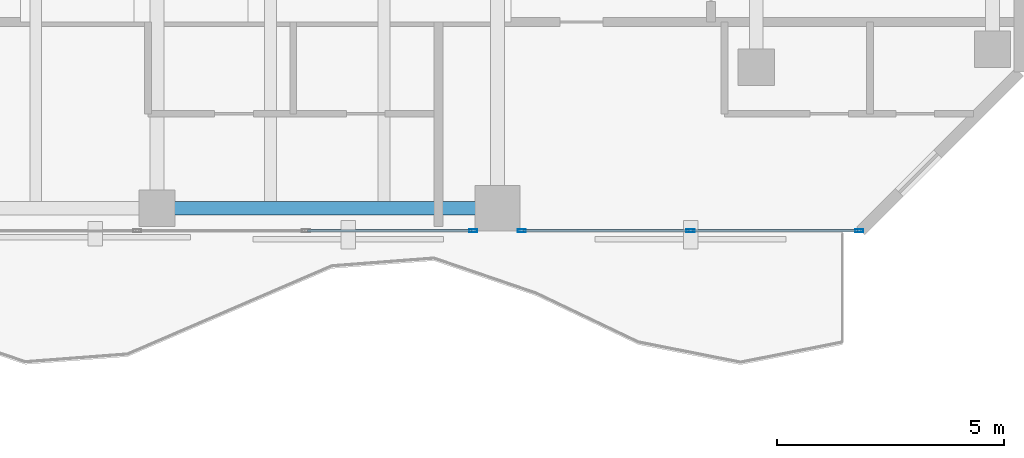
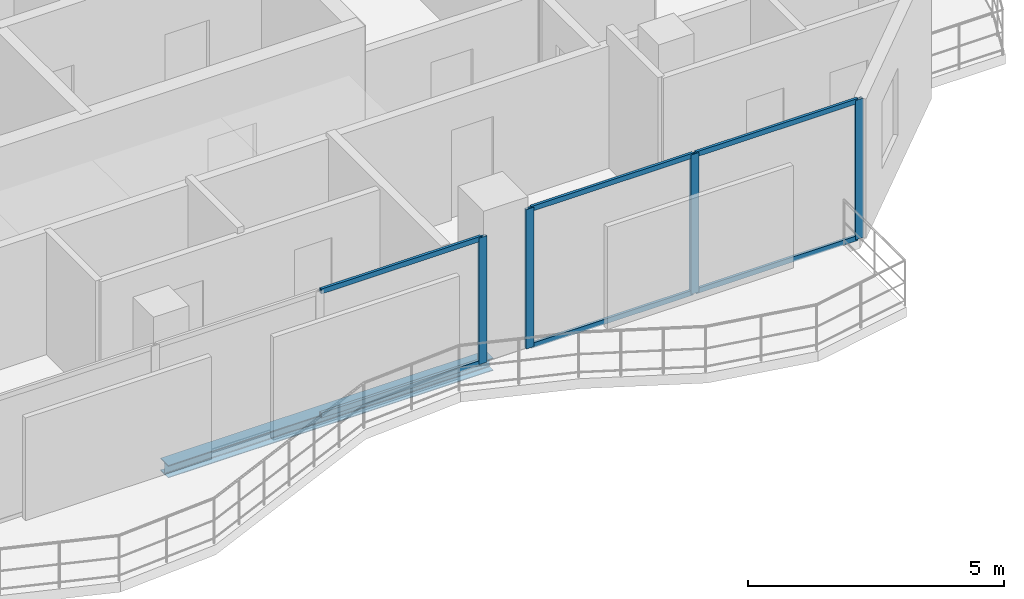
# One storey, part 12 of 23: 10 members, 1 beam, 2 elements without a shape of their own.
"""IFC4 building model written with IfcOpenShell, lengths in metres."""

import ifcopenshell
import ifcopenshell.guid

model = None  # the IFC model being written
_history = None  # IfcOwnerHistory: only IFC2X3 demands one
_inside = {}  # id of a spatial element -> (the spatial element, [elements in it])
_under = {}  # id of a project, library or spatial element -> (it, [spatial elements below it])
_declared = {}  # id of a project -> (the project, [libraries it declares])
_typed = {}  # id of a type object -> (the type object, [elements of that type])
_made_of = {}  # id of a material, layer set ... -> (it, [elements and type objects made of it])


def new_model(schema):
    """Start an empty IFC model of exactly this schema.

    Asked for "IFC4X3", IfcOpenShell would pick the latest addendum, in which some entities
    have other attributes; the version numbers below select the first issue.
    IFC2X3 requires an IfcOwnerHistory on every rooted entity: one is made here for all.
    """
    global model, _history
    if schema == "IFC4X3":
        model = ifcopenshell.file(schema_version=(4, 3, 0, 0))
    else:
        model = ifcopenshell.file(schema=schema)
    _inside.clear()
    _under.clear()
    _declared.clear()
    _typed.clear()
    _made_of.clear()
    _history = None
    if model.schema == "IFC2X3":
        org = make("IfcOrganization", Name="unknown")
        user = make(
            "IfcPersonAndOrganization",
            ThePerson=make("IfcPerson", FamilyName="unknown"),
            TheOrganization=org,
        )
        app = make(
            "IfcApplication",
            ApplicationDeveloper=org,
            Version="unknown",
            ApplicationFullName="unknown",
            ApplicationIdentifier="unknown",
        )
        _history = make(
            "IfcOwnerHistory",
            OwningUser=user,
            OwningApplication=app,
            ChangeAction="ADDED",
            CreationDate=0,
        )
    return model


def make(cls, **values):
    """One entity of the class cls with the attributes given. An attribute that is None is left unset."""
    return model.create_entity(
        cls, **{name: value for name, value in values.items() if value is not None}
    )


def rooted(cls, **values):
    """An entity with a GlobalId (a new one), such as an element, a storey or a relation."""
    return make(cls, GlobalId=ifcopenshell.guid.new(), OwnerHistory=_history, **values)


def si_unit(unit_type, name, prefix=None):
    """IfcSIUnit, for example si_unit("LENGTHUNIT", "METRE", prefix="MILLI")."""
    return make("IfcSIUnit", UnitType=unit_type, Prefix=prefix, Name=name)


def assignment(units):
    """IfcUnitAssignment: the units of a project."""
    return None if units is None else make("IfcUnitAssignment", Units=units)


def point(xyz):
    """IfcCartesianPoint."""
    return None if xyz is None else make("IfcCartesianPoint", Coordinates=xyz)


def direction(xyz):
    """IfcDirection."""
    return None if xyz is None else make("IfcDirection", DirectionRatios=xyz)


def frame(location, z_axis=None, x_axis=None):
    """IfcAxis2Placement3D, a coordinate frame: its origin and axes. An axis left out is left unset."""
    return make(
        "IfcAxis2Placement3D",
        Location=point(location),
        Axis=direction(z_axis),
        RefDirection=direction(x_axis),
    )


def frame_2d(location, x_axis=None):
    """IfcAxis2Placement2D, a coordinate frame in the plane: its origin and x axis."""
    return make(
        "IfcAxis2Placement2D", Location=point(location), RefDirection=direction(x_axis)
    )


def origin():
    """The frame at (0, 0, 0) with its axes left unset."""
    return frame((0.0, 0.0, 0.0))


def origin_2d():
    """The frame at (0, 0) in the plane with its x axis left unset."""
    return frame_2d((0.0, 0.0))


def place(relative_to, where):
    """IfcLocalPlacement: puts the frame where relative to a parent placement (None: the world)."""
    return make(
        "IfcLocalPlacement", PlacementRelTo=relative_to, RelativePlacement=where
    )


def context(
    kind, dimensions, precision=None, world=None, true_north=None, identifier=None
):
    """IfcGeometricRepresentationContext, for example the 3D "Model" context."""
    return make(
        "IfcGeometricRepresentationContext",
        ContextIdentifier=identifier,
        ContextType=kind,
        CoordinateSpaceDimension=dimensions,
        Precision=precision,
        WorldCoordinateSystem=world,
        TrueNorth=true_north,
    )


def subcontext(parent, identifier, kind, view, scale=None):
    """IfcGeometricRepresentationSubContext, for example "Body" below "Model"."""
    return make(
        "IfcGeometricRepresentationSubContext",
        ContextIdentifier=identifier,
        ContextType=kind,
        ParentContext=parent,
        TargetScale=scale,
        TargetView=view,
    )


def project(units=None, contexts=None):
    """IfcProject with its units and contexts."""
    return rooted(
        "IfcProject",
        Name="project",
        RepresentationContexts=contexts,
        UnitsInContext=assignment(units),
    )


def spatial(cls, under=None, at=None, **own):
    """A site, building, storey or space (cls), placed at a placement, below another one or the project."""
    s = rooted(cls, ObjectPlacement=at, **own)
    if under is not None:
        _under.setdefault(under.id(), (under, []))[1].append(s)
    return s


def profile(cls, at=None, kind="AREA", **sizes):
    """A parametric profile (cls). Its sizes go by their IFC names, for example OverallWidth=200.0."""
    return make(cls, ProfileType=kind, Position=at, **sizes)


def hollow_rectangle(**sizes):
    """IfcRectangleHollowProfileDef."""
    return profile("IfcRectangleHollowProfileDef", **sizes)


def i_section(**sizes):
    """IfcIShapeProfileDef."""
    return profile("IfcIShapeProfileDef", **sizes)


def extrude(swept, where, along, depth):
    """IfcExtrudedAreaSolid: the profile swept, set in the frame where, extruded along a direction by depth."""
    return make(
        "IfcExtrudedAreaSolid",
        SweptArea=swept,
        Position=where,
        ExtrudedDirection=direction(along),
        Depth=depth,
    )


def shape(context_of_items, identifier, shape_type, items):
    """IfcShapeRepresentation: the items that make up one representation, for example the "Body"."""
    return make(
        "IfcShapeRepresentation",
        ContextOfItems=context_of_items,
        RepresentationIdentifier=identifier,
        RepresentationType=shape_type,
        Items=items,
    )


def material(Name=None, Category=None):
    """IfcMaterial."""
    return make("IfcMaterial", Name=Name, Category=Category)


def layer(
    of_material, thickness, ventilated=None, Name=None, Category=None, Priority=None
):
    """IfcMaterialLayer: one layer of a wall or slab, of a material (None: an air gap)."""
    return make(
        "IfcMaterialLayer",
        Material=of_material,
        LayerThickness=thickness,
        IsVentilated=ventilated,
        Name=Name,
        Category=Category,
        Priority=Priority,
    )


def layer_set(layers, Name=None):
    """IfcMaterialLayerSet."""
    return make("IfcMaterialLayerSet", MaterialLayers=layers, LayerSetName=Name)


def material_profile(
    of_material, cross_section, Name=None, Category=None, Priority=None
):
    """IfcMaterialProfile: a cross section and its material."""
    return make(
        "IfcMaterialProfile",
        Name=Name,
        Material=of_material,
        Profile=cross_section,
        Priority=Priority,
        Category=Category,
    )


def profile_set(profiles, Name=None, composite=None):
    """IfcMaterialProfileSet."""
    return make(
        "IfcMaterialProfileSet",
        Name=Name,
        MaterialProfiles=profiles,
        CompositeProfile=composite,
    )


def made_of(thing, what):
    """Note that an element or type object is made of a material, layer set ...; save() writes the relation."""
    if what is not None:
        _made_of.setdefault(what.id(), (what, []))[1].append(thing)
    return thing


def type_object(cls, material=None, **own):
    """A type object (cls), such as IfcWallType, which elements share."""
    return made_of(rooted(cls, **own), material)


def element(
    cls,
    number,
    at=None,
    inside=None,
    cuts=None,
    type_object=None,
    material=None,
    context=None,
    identifier="Body",
    shape_type=None,
    held_by="IfcProductDefinitionShape",
    body=None,
    shapes=None,
    **own,
):
    """One element of the class cls, such as IfcWall. Its Tag is "e" and its number.

    at: its placement. inside: the storey or other place that contains it. cuts: it is an
    opening in that element (IfcRelVoidsElement). A single representation is given by context,
    identifier, shape_type and body (its items); several are given by shapes. held_by: the class
    of the entity that holds the representations. save() writes the other relations.
    """
    e = rooted(cls, Tag="e%d" % number, ObjectPlacement=at, **own)
    if body is not None:
        shapes = [shape(context, identifier, shape_type, body)]
    if shapes is not None:
        e.Representation = make(held_by, Representations=shapes)
    if inside is not None:
        _inside.setdefault(inside.id(), (inside, []))[1].append(e)
    if cuts is not None:
        rooted(
            "IfcRelVoidsElement", RelatingBuildingElement=cuts, RelatedOpeningElement=e
        )
    if type_object is not None:
        _typed.setdefault(type_object.id(), (type_object, []))[1].append(e)
    return made_of(e, material)


def aggregate(whole, parts):
    """IfcRelAggregates: a whole, such as a stair, and the parts it consists of."""
    return rooted("IfcRelAggregates", RelatingObject=whole, RelatedObjects=parts)


def save(model, path):
    """Write the relations noted so far, then the file.

    IfcRelAggregates (storeys below a building ...), IfcRelContainedInSpatialStructure (elements
    in a storey), IfcRelDefinesByType, IfcRelAssociatesMaterial and IfcRelDeclares: one each for
    every whole, place, type object, material and project.
    """
    for whole, parts in _under.values():
        aggregate(whole, parts)
    for where, things in _inside.values():
        rooted(
            "IfcRelContainedInSpatialStructure",
            RelatedElements=things,
            RelatingStructure=where,
        )
    for kind, things in _typed.values():
        rooted("IfcRelDefinesByType", RelatedObjects=things, RelatingType=kind)
    for what, things in _made_of.values():
        rooted("IfcRelAssociatesMaterial", RelatedObjects=things, RelatingMaterial=what)
    for by, libraries in _declared.values():
        rooted("IfcRelDeclares", RelatingContext=by, RelatedDefinitions=libraries)
    model.write(path)


model = new_model("IFC4")

# Units and contexts
model_context = context("Model", 3, precision=1e-05, world=origin(), true_north=direction((0.0, 1.0)))
body_context = subcontext(model_context, "Body", "Model", "MODEL_VIEW")
ifc_project = project(units=[si_unit("LENGTHUNIT", "METRE"), si_unit("AREAUNIT", "SQUARE_METRE"), si_unit("VOLUMEUNIT", "CUBIC_METRE"), si_unit("PLANEANGLEUNIT", "RADIAN"), si_unit("MASSUNIT", "GRAM", prefix="KILO")], contexts=[model_context])

# Site, building, storey
site_placement = place(None, origin())
site = spatial("IfcSite", under=ifc_project, at=site_placement, CompositionType="ELEMENT")
building_placement = place(site_placement, origin())
building = spatial("IfcBuilding", under=site, at=building_placement, Name="Catumbela Crestline Tower", CompositionType="ELEMENT")
storey_placement = place(building_placement, frame((0.0, 0.0, 186.6)))
storey = spatial("IfcBuildingStorey", under=building, at=storey_placement, Name="L48", CompositionType="ELEMENT", Elevation=186.6)

# Curtain wall, member
ifc_material_1 = material(Name="Aluminium alloy AW-6060-T66", Category="aluminium")
ifc_layer = layer(ifc_material_1, 0.18, Name="Aluminium alloy AW-6060-T66")
ifc_layer_set = layer_set([ifc_layer], Name="Aluminium alloy AW-6060-T66")
curtain_wall_type = type_object("IfcCurtainWallType", Name="CWU-Z3", PredefinedType="USERDEFINED", material=ifc_layer_set)
curtain_wall_1_placement = place(storey_placement, origin())
curtain_wall_1 = element("IfcCurtainWall", 1, at=curtain_wall_1_placement, inside=storey, type_object=curtain_wall_type, Name="L48 Unitised Curtain Wall CW-L48-E3S2", ObjectType="UNITISED", PredefinedType="USERDEFINED")
ifc_material_profile_1 = material_profile(ifc_material_1, hollow_rectangle(XDim=0.065, YDim=0.18, WallThickness=0.004, at=origin_2d()), Name="ALU 180x65x4")
ifc_profile_set_1 = profile_set([ifc_material_profile_1], Name="Aluminium alloy AW-6060-T66")
member_type_1 = type_object("IfcMemberType", Name="MUL-180X65", PredefinedType="MULLION", material=ifc_profile_set_1)
member_1_placement = place(storey_placement, frame((38.9675, 24.0, 0.0), z_axis=(0.0, 0.0, 1.0), x_axis=(0.0, 1.0, 0.0)))
member_1 = element("IfcMember", 2, at=member_1_placement, type_object=member_type_1, Name="CWU-Z3 mullion 4", PredefinedType="MULLION", context=body_context, shape_type="SweptSolid", body=[
    extrude(hollow_rectangle(XDim=0.065, YDim=0.18, WallThickness=0.004, at=origin_2d()), origin(), (0.0, 0.0, 1.0), 3.02),
])

# Curtain wall, members
curtain_wall_2_placement = place(storey_placement, origin())
curtain_wall_2 = element("IfcCurtainWall", 3, at=curtain_wall_2_placement, inside=storey, type_object=curtain_wall_type, Name="L48 Unitised Curtain Wall CW-L48-E3S3", ObjectType="UNITISED", PredefinedType="USERDEFINED")
member_2_placement = place(storey_placement, frame((40.0325, 24.0, 0.0), z_axis=(0.0, 0.0, 1.0), x_axis=(0.0, 1.0, 0.0)))
member_2 = element("IfcMember", 4, at=member_2_placement, type_object=member_type_1, Name="CWU-Z3 mullion 1", PredefinedType="MULLION", context=body_context, shape_type="SweptSolid", body=[
    extrude(hollow_rectangle(XDim=0.065, YDim=0.18, WallThickness=0.004, at=origin_2d()), origin(), (0.0, 0.0, 1.0), 3.33),
])
member_3_placement = place(storey_placement, frame((43.75, 24.0, 0.0), z_axis=(0.0, 0.0, 1.0), x_axis=(0.0, 1.0, 0.0)))
member_3 = element("IfcMember", 5, at=member_3_placement, type_object=member_type_1, Name="CWU-Z3 mullion 2", PredefinedType="MULLION", context=body_context, shape_type="SweptSolid", body=[
    extrude(hollow_rectangle(XDim=0.065, YDim=0.18, WallThickness=0.004, at=origin_2d()), origin(), (0.0, 0.0, 1.0), 3.33),
])
member_4_placement = place(storey_placement, frame((47.4675, 24.0, 0.0), z_axis=(0.0, 0.0, 1.0), x_axis=(0.0, 1.0, 0.0)))
member_4 = element("IfcMember", 6, at=member_4_placement, type_object=member_type_1, Name="CWU-Z3 mullion 3", PredefinedType="MULLION", context=body_context, shape_type="SweptSolid", body=[
    extrude(hollow_rectangle(XDim=0.065, YDim=0.18, WallThickness=0.004, at=origin_2d()), origin(), (0.0, 0.0, 1.0), 3.33),
])

# Beam
ifc_material_2 = material(Name="Structural steel S355J2", Category="steel")
ifc_material_profile_2 = material_profile(ifc_material_2, i_section(OverallWidth=0.3, OverallDepth=0.3, WebThickness=0.011, FlangeThickness=0.019, FilletRadius=0.027, at=origin_2d()), Name="HEB 300")
ifc_profile_set_2 = profile_set([ifc_material_profile_2], Name="Structural steel S355J2")
beam_type = type_object("IfcBeamType", Name="BS-HEB300", PredefinedType="SPANDREL", material=ifc_profile_set_2)
beam_placement = place(storey_placement, frame((32.08, 24.5, -0.41), z_axis=(1.0, 0.0, 0.0), x_axis=(0.0, 1.0, 0.0)))
element("IfcBeam", 7, at=beam_placement, inside=storey, type_object=beam_type, Name="L48 Spandrel SP-L48-S05", PredefinedType="SPANDREL", context=body_context, shape_type="SweptSolid", body=[
    extrude(i_section(OverallWidth=0.3, OverallDepth=0.3, WebThickness=0.011, FlangeThickness=0.019, FilletRadius=0.027, at=origin_2d()), origin(), (0.0, 0.0, 1.0), 7.34),
])

# Member
ifc_material_profile_3 = material_profile(ifc_material_1, hollow_rectangle(XDim=0.06, YDim=0.12, WallThickness=0.0035, at=origin_2d()), Name="ALU 120x60x3.5")
ifc_profile_set_3 = profile_set([ifc_material_profile_3], Name="Aluminium alloy AW-6060-T66")
member_type_2 = type_object("IfcMemberType", Name="TRN-120X60", PredefinedType="USERDEFINED", material=ifc_profile_set_3)
member_5_placement = place(storey_placement, frame((35.3158, 24.0, 0.03), z_axis=(1.0, 0.0, 0.0), x_axis=(0.0, 1.0, 0.0)))
member_5 = element("IfcMember", 8, at=member_5_placement, type_object=member_type_2, Name="CWU-Z3 transom 3.1", ObjectType="TRANSOM", PredefinedType="USERDEFINED", context=body_context, shape_type="SweptSolid", body=[
    extrude(hollow_rectangle(XDim=0.06, YDim=0.12, WallThickness=0.0035, at=origin_2d()), origin(), (0.0, 0.0, 1.0), 3.6192),
])

member_6_placement = place(storey_placement, frame((35.3158, 24.0, 2.99), z_axis=(1.0, 0.0, 0.0), x_axis=(0.0, 1.0, 0.0)))
member_6 = element("IfcMember", 9, at=member_6_placement, type_object=member_type_2, Name="CWU-Z3 transom 3.2", ObjectType="TRANSOM", PredefinedType="USERDEFINED", context=body_context, shape_type="SweptSolid", body=[
    extrude(hollow_rectangle(XDim=0.06, YDim=0.12, WallThickness=0.0035, at=origin_2d()), origin(), (0.0, 0.0, 1.0), 3.6192),
])

aggregate(curtain_wall_1, [member_1, member_5, member_6])

member_7_placement = place(storey_placement, frame((40.065, 24.0, 0.03), z_axis=(1.0, 0.0, 0.0), x_axis=(0.0, 1.0, 0.0)))
member_7 = element("IfcMember", 10, at=member_7_placement, type_object=member_type_2, Name="CWU-Z3 transom 1.1", ObjectType="TRANSOM", PredefinedType="USERDEFINED", context=body_context, shape_type="SweptSolid", body=[
    extrude(hollow_rectangle(XDim=0.06, YDim=0.12, WallThickness=0.0035, at=origin_2d()), origin(), (0.0, 0.0, 1.0), 3.6525),
])

member_8_placement = place(storey_placement, frame((40.065, 24.0, 3.3), z_axis=(1.0, 0.0, 0.0), x_axis=(0.0, 1.0, 0.0)))
member_8 = element("IfcMember", 11, at=member_8_placement, type_object=member_type_2, Name="CWU-Z3 transom 1.2", ObjectType="TRANSOM", PredefinedType="USERDEFINED", context=body_context, shape_type="SweptSolid", body=[
    extrude(hollow_rectangle(XDim=0.06, YDim=0.12, WallThickness=0.0035, at=origin_2d()), origin(), (0.0, 0.0, 1.0), 3.6525),
])

member_9_placement = place(storey_placement, frame((43.7825, 24.0, 0.03), z_axis=(1.0, 0.0, 0.0), x_axis=(0.0, 1.0, 0.0)))
member_9 = element("IfcMember", 12, at=member_9_placement, type_object=member_type_2, Name="CWU-Z3 transom 2.1", ObjectType="TRANSOM", PredefinedType="USERDEFINED", context=body_context, shape_type="SweptSolid", body=[
    extrude(hollow_rectangle(XDim=0.06, YDim=0.12, WallThickness=0.0035, at=origin_2d()), origin(), (0.0, 0.0, 1.0), 3.6525),
])

member_10_placement = place(storey_placement, frame((43.7825, 24.0, 3.3), z_axis=(1.0, 0.0, 0.0), x_axis=(0.0, 1.0, 0.0)))
member_10 = element("IfcMember", 13, at=member_10_placement, type_object=member_type_2, Name="CWU-Z3 transom 2.2", ObjectType="TRANSOM", PredefinedType="USERDEFINED", context=body_context, shape_type="SweptSolid", body=[
    extrude(hollow_rectangle(XDim=0.06, YDim=0.12, WallThickness=0.0035, at=origin_2d()), origin(), (0.0, 0.0, 1.0), 3.6525),
])

aggregate(curtain_wall_2, [member_2, member_3, member_4, member_7, member_8, member_9, member_10])

save(model, "model.ifc")
